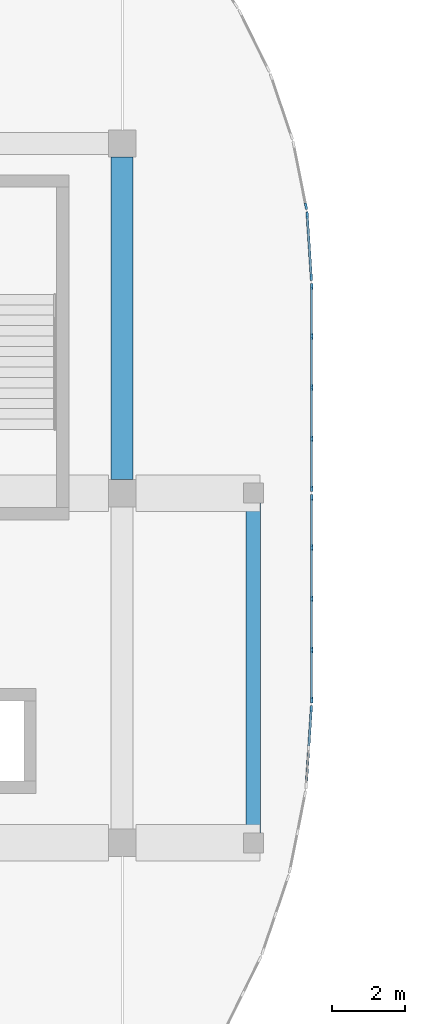
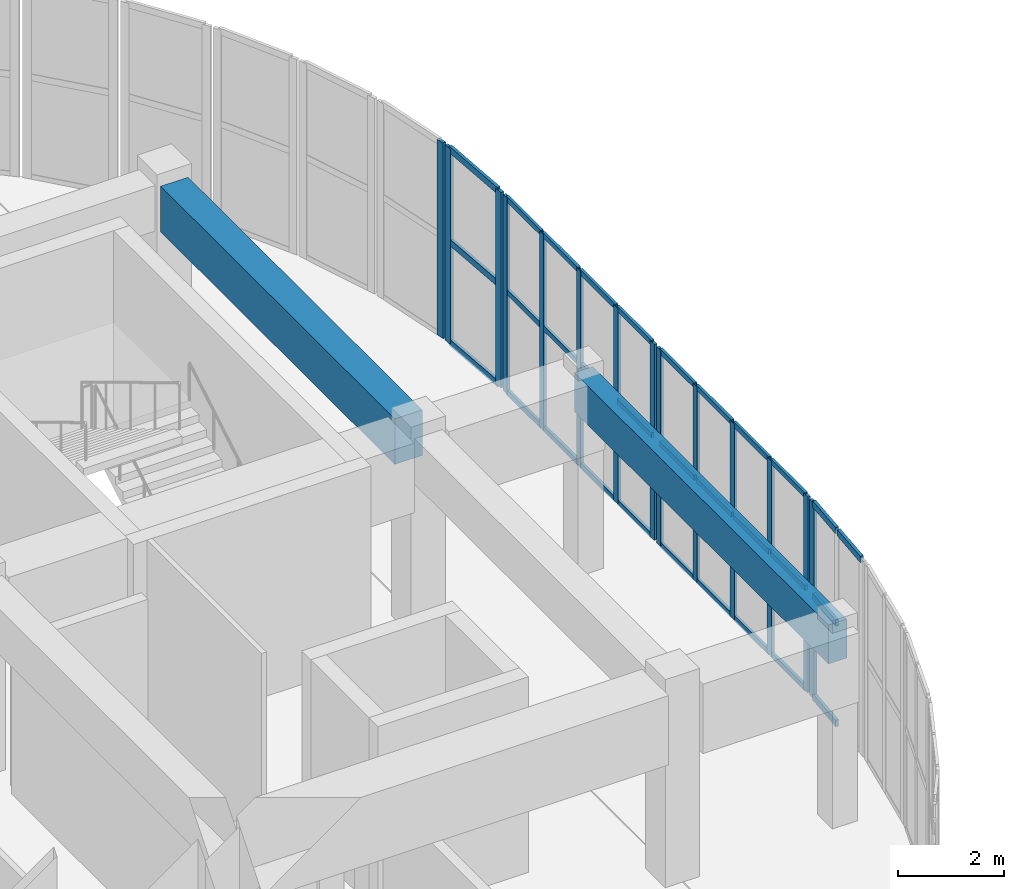
# One storey, part 9 of 28: 45 members, 2 beams, 5 elements without a shape of their own.
"""IFC4 building model written with IfcOpenShell, lengths in metres."""

from ifc_helpers import new_model, si_unit, direction, frame, origin, origin_2d, place, context, subcontext, project, spatial, rectangle, extrude, material, layer, layer_set, material_profile, profile_set, type_object, element, aggregate, save


model = new_model("IFC4")

# Units and contexts
model_context = context("Model", 3, precision=1e-05, world=origin(), true_north=direction((0.0, 1.0)))
body_context = subcontext(model_context, "Body", "Model", "MODEL_VIEW")
ifc_project = project(units=[si_unit("LENGTHUNIT", "METRE"), si_unit("AREAUNIT", "SQUARE_METRE"), si_unit("VOLUMEUNIT", "CUBIC_METRE"), si_unit("PLANEANGLEUNIT", "RADIAN"), si_unit("MASSUNIT", "GRAM", prefix="KILO")], contexts=[model_context])

# Site, building, storey
site_placement = place(None, origin())
site = spatial("IfcSite", under=ifc_project, at=site_placement, CompositionType="ELEMENT")
building_placement = place(site_placement, origin())
building = spatial("IfcBuilding", under=site, at=building_placement, Name="Cendralis Terraced Arcade", CompositionType="ELEMENT")
storey_placement = place(building_placement, frame((0.0, 0.0, 24.60009765625)))
storey = spatial("IfcBuildingStorey", under=building, at=storey_placement, Name="L05", CompositionType="ELEMENT", Elevation=24.60009765625)

# Beam
ifc_material_1 = material(Name="Concrete f'c 35 MPa", Category="concrete")
ifc_material_profile_1 = material_profile(ifc_material_1, rectangle(XDim=0.60009765625, YDim=1.050048828125, at=origin_2d()), Name="RC-BM-600x1050", Category="LoadBearing")
ifc_profile_set_1 = profile_set([ifc_material_profile_1], Name="Concrete f'c 35 MPa")
beam_type_1 = type_object("IfcBeamType", Name="BM-600x1050", PredefinedType="JOIST", material=ifc_profile_set_1)
beam_1_placement = place(storey_placement, frame((57.60009765625, 29.175048828125, 3.98486328125), z_axis=(0.0, 1.0, 0.0), x_axis=(-1.0, 0.0, 0.0)))
element("IfcBeam", 1, at=beam_1_placement, inside=storey, type_object=beam_type_1, Name="Reinforced Concrete Frame Beam BM-Y-L06-7-D_E", PredefinedType="JOIST", context=body_context, shape_type="SweptSolid", body=[
    extrude(rectangle(XDim=0.60009765625, YDim=1.050048828125, at=origin_2d()), origin(), (0.0, 0.0, 1.0), 8.849853515625),
])

# Curtain wall, member
ifc_material_2 = material(Name="Anodised aluminium EN AW-6063 T6", Category="aluminium")
ifc_layer_1 = layer(ifc_material_2, 0.179931640625, Name="CW-UNIT-A")
ifc_layer_set_1 = layer_set([ifc_layer_1], Name="Anodised aluminium EN AW-6063 T6")
curtain_wall_type_1 = type_object("IfcCurtainWallType", Name="CW-UNIT-A", PredefinedType="USERDEFINED", material=ifc_layer_set_1)
curtain_wall_1_placement = place(storey_placement, origin())
curtain_wall_1 = element("IfcCurtainWall", 2, at=curtain_wall_1_placement, inside=storey, type_object=curtain_wall_type_1, Name="Exterior Unitised Facade CW-L05-0399", ObjectType="UNITISED FACADE", PredefinedType="USERDEFINED")
ifc_material_profile_2 = material_profile(ifc_material_2, rectangle(XDim=0.06494140625, YDim=0.179931640625, at=origin_2d()), Name="ALU-MUL-65x180")
ifc_profile_set_2 = profile_set([ifc_material_profile_2], Name="Anodised aluminium EN AW-6063 T6")
member_type_1 = type_object("IfcMemberType", Name="CW-UNIT-A-MUL", PredefinedType="MULLION", material=ifc_profile_set_2)
member_1_placement = place(storey_placement, frame((62.647705078125, 36.677978515625, 0.0), z_axis=(0.0, 0.0, 1.0), x_axis=(0.980791618721, 0.195058454434, 0.0)))
member_1 = element("IfcMember", 3, at=member_1_placement, type_object=member_type_1, Name="CW-U1 mullion 2", PredefinedType="MULLION", context=body_context, shape_type="SweptSolid", body=[
    extrude(rectangle(XDim=0.06494140625, YDim=0.179931640625, at=origin_2d()), origin(), (0.0, 0.0, 1.0), 4.510009765625),
])
aggregate(curtain_wall_1, [member_1])

# Curtain wall, members
curtain_wall_2_placement = place(storey_placement, origin())
curtain_wall_2 = element("IfcCurtainWall", 4, at=curtain_wall_2_placement, inside=storey, type_object=curtain_wall_type_1, Name="Exterior Unitised Facade CW-L05-0400", ObjectType="UNITISED FACADE", PredefinedType="USERDEFINED")
member_2_placement = place(storey_placement, frame((62.6796875, 36.435791015625, 0.0), z_axis=(0.0, 0.0, 1.0), x_axis=(0.997860971336, 0.065371873798, 0.0)))
member_2 = element("IfcMember", 5, at=member_2_placement, type_object=member_type_1, Name="CW-U1 mullion 1", PredefinedType="MULLION", context=body_context, shape_type="SweptSolid", body=[
    extrude(rectangle(XDim=0.06494140625, YDim=0.179931640625, at=origin_2d()), origin(), (0.0, 0.0, 1.0), 4.510009765625),
])
member_3_placement = place(storey_placement, frame((62.7919921875, 34.72216796875, 0.0), z_axis=(0.0, 0.0, 1.0), x_axis=(0.997860971336, 0.065371873798, 0.0)))
member_3 = element("IfcMember", 6, at=member_3_placement, type_object=member_type_1, Name="CW-U1 mullion 2", PredefinedType="MULLION", context=body_context, shape_type="SweptSolid", body=[
    extrude(rectangle(XDim=0.06494140625, YDim=0.179931640625, at=origin_2d()), origin(), (0.0, 0.0, 1.0), 4.510009765625),
])

# Curtain wall, member
curtain_wall_3_placement = place(storey_placement, origin())
curtain_wall_3 = element("IfcCurtainWall", 7, at=curtain_wall_3_placement, inside=storey, type_object=curtain_wall_type_1, Name="Exterior Unitised Facade CW-L05-0403", ObjectType="UNITISED FACADE", PredefinedType="USERDEFINED")
member_4_placement = place(storey_placement, frame((62.7919921875, 22.877685546875, 0.0), z_axis=(0.0, 0.0, 1.0), x_axis=(0.99785960626, -0.065392707503, 0.0)))
member_4 = element("IfcMember", 8, at=member_4_placement, type_object=member_type_1, Name="CW-U1 mullion 1", PredefinedType="MULLION", context=body_context, shape_type="SweptSolid", body=[
    extrude(rectangle(XDim=0.06494140625, YDim=0.179931640625, at=origin_2d()), origin(), (0.0, 0.0, 1.0), 4.510009765625),
])

# Member
ifc_material_profile_3 = material_profile(ifc_material_2, rectangle(XDim=0.06494140625, YDim=0.14990234375, at=origin_2d()), Name="ALU-TRN-65x150")
ifc_profile_set_3 = profile_set([ifc_material_profile_3], Name="Anodised aluminium EN AW-6063 T6")
member_type_2 = type_object("IfcMemberType", Name="CW-UNIT-A-TRN", PredefinedType="USERDEFINED", material=ifc_profile_set_3)
member_5_placement = place(storey_placement, frame((62.681884765625, 36.4033203125, 0.032470703125), z_axis=(0.065312640858, -0.997864850039, 0.0), x_axis=(0.997864850039, 0.065312640858, 0.0)))
member_5 = element("IfcMember", 9, at=member_5_placement, type_object=member_type_2, Name="CW-U1 transom 1.1", ObjectType="TRANSOM", PredefinedType="USERDEFINED", context=body_context, shape_type="SweptSolid", body=[
    extrude(rectangle(XDim=0.06494140625, YDim=0.14990234375, at=origin_2d()), origin(), (0.0, 0.0, 1.0), 1.652099609375),
])

member_6_placement = place(storey_placement, frame((62.681884765625, 36.4033203125, 2.34521484375), z_axis=(0.065312640858, -0.997864850039, 0.0), x_axis=(0.997864850039, 0.065312640858, 0.0)))
member_6 = element("IfcMember", 10, at=member_6_placement, type_object=member_type_2, Name="CW-U1 transom 1.2", ObjectType="TRANSOM", PredefinedType="USERDEFINED", context=body_context, shape_type="SweptSolid", body=[
    extrude(rectangle(XDim=0.06494140625, YDim=0.14990234375, at=origin_2d()), origin(), (0.0, 0.0, 1.0), 1.652099609375),
])

member_7_placement = place(storey_placement, frame((62.681884765625, 36.4033203125, 4.477294921875), z_axis=(0.065312640858, -0.997864850039, 0.0), x_axis=(0.997864850039, 0.065312640858, 0.0)))
member_7 = element("IfcMember", 11, at=member_7_placement, type_object=member_type_2, Name="CW-U1 transom 1.3", ObjectType="TRANSOM", PredefinedType="USERDEFINED", context=body_context, shape_type="SweptSolid", body=[
    extrude(rectangle(XDim=0.06494140625, YDim=0.14990234375, at=origin_2d()), origin(), (0.0, 0.0, 1.0), 1.652099609375),
])

aggregate(curtain_wall_2, [member_2, member_3, member_5, member_6, member_7])

member_8_placement = place(storey_placement, frame((62.789794921875, 22.845458984375, 0.032470703125), z_axis=(-0.065356752321, -0.997861961859, 0.0), x_axis=(0.997861961859, -0.065356752321, 0.0)))
member_8 = element("IfcMember", 12, at=member_8_placement, type_object=member_type_2, Name="CW-U1 transom 1.1", ObjectType="TRANSOM", PredefinedType="USERDEFINED", context=body_context, shape_type="SweptSolid", body=[
    extrude(rectangle(XDim=0.06494140625, YDim=0.14990234375, at=origin_2d()), origin(), (0.0, 0.0, 1.0), 0.989990234375),
])

member_9_placement = place(storey_placement, frame((62.789794921875, 22.845458984375, 2.34521484375), z_axis=(-0.065356752321, -0.997861961859, 0.0), x_axis=(0.997861961859, -0.065356752321, 0.0)))
member_9 = element("IfcMember", 13, at=member_9_placement, type_object=member_type_2, Name="CW-U1 transom 1.2", ObjectType="TRANSOM", PredefinedType="USERDEFINED", context=body_context, shape_type="SweptSolid", body=[
    extrude(rectangle(XDim=0.06494140625, YDim=0.14990234375, at=origin_2d()), origin(), (0.0, 0.0, 1.0), 0.989990234375),
])

member_10_placement = place(storey_placement, frame((62.789794921875, 22.845458984375, 4.477294921875), z_axis=(-0.065356752321, -0.997861961859, 0.0), x_axis=(0.997861961859, -0.065356752321, 0.0)))
member_10 = element("IfcMember", 14, at=member_10_placement, type_object=member_type_2, Name="CW-U1 transom 1.3", ObjectType="TRANSOM", PredefinedType="USERDEFINED", context=body_context, shape_type="SweptSolid", body=[
    extrude(rectangle(XDim=0.06494140625, YDim=0.14990234375, at=origin_2d()), origin(), (0.0, 0.0, 1.0), 0.989990234375),
])

member_11_placement = place(storey_placement, frame((62.720947265625, 21.792724609375, 4.477294921875), z_axis=(-0.065372840697, -0.997860907992, 0.0), x_axis=(0.997860907992, -0.065372840697, 0.0)))
member_11 = element("IfcMember", 15, at=member_11_placement, type_object=member_type_2, Name="CW-U1 transom 2.3", ObjectType="TRANSOM", PredefinedType="USERDEFINED", context=body_context, shape_type="SweptSolid", body=[
    extrude(rectangle(XDim=0.06494140625, YDim=0.14990234375, at=origin_2d()), origin(), (0.0, 0.0, 1.0), 0.98974609375),
])

aggregate(curtain_wall_3, [member_4, member_8, member_9, member_10, member_11])

# Curtain wall, members
ifc_layer_2 = layer(ifc_material_2, 0.159912109375, Name="CW-UNIT-B")
ifc_layer_set_2 = layer_set([ifc_layer_2], Name="Anodised aluminium EN AW-6063 T6")
curtain_wall_type_2 = type_object("IfcCurtainWallType", Name="CW-UNIT-B", PredefinedType="USERDEFINED", material=ifc_layer_set_2)
curtain_wall_4_placement = place(storey_placement, origin())
curtain_wall_4 = element("IfcCurtainWall", 16, at=curtain_wall_4_placement, inside=storey, type_object=curtain_wall_type_2, Name="Exterior Unitised Facade CW-L05-0401", ObjectType="UNITISED FACADE", PredefinedType="USERDEFINED")
ifc_material_profile_4 = material_profile(ifc_material_2, rectangle(XDim=0.06494140625, YDim=0.159912109375, at=origin_2d()), Name="ALU-MUL-65x160")
ifc_profile_set_4 = profile_set([ifc_material_profile_4], Name="Anodised aluminium EN AW-6063 T6")
member_type_3 = type_object("IfcMemberType", Name="CW-UNIT-B-MUL", PredefinedType="MULLION", material=ifc_profile_set_4)
member_12_placement = place(storey_placement, frame((62.800048828125, 34.4775390625, 0.0), z_axis=(0.0, 0.0, 1.0), x_axis=(1.0, 0.0, 0.0)))
member_12 = element("IfcMember", 17, at=member_12_placement, type_object=member_type_3, Name="CW-U2 mullion 1", PredefinedType="MULLION", context=body_context, shape_type="SweptSolid", body=[
    extrude(rectangle(XDim=0.06494140625, YDim=0.159912109375, at=origin_2d()), origin(), (0.0, 0.0, 1.0), 4.510009765625),
])
member_13_placement = place(storey_placement, frame((62.800048828125, 33.10498046875, 0.0), z_axis=(0.0, 0.0, 1.0), x_axis=(1.0, 0.0, 0.0)))
member_13 = element("IfcMember", 18, at=member_13_placement, type_object=member_type_3, Name="CW-U2 mullion 2", PredefinedType="MULLION", context=body_context, shape_type="SweptSolid", body=[
    extrude(rectangle(XDim=0.06494140625, YDim=0.159912109375, at=origin_2d()), origin(), (0.0, 0.0, 1.0), 4.510009765625),
])
member_14_placement = place(storey_placement, frame((62.800048828125, 31.699951171875, 0.0), z_axis=(0.0, 0.0, 1.0), x_axis=(1.0, 0.0, 0.0)))
member_14 = element("IfcMember", 19, at=member_14_placement, type_object=member_type_3, Name="CW-U2 mullion 3", PredefinedType="MULLION", context=body_context, shape_type="SweptSolid", body=[
    extrude(rectangle(XDim=0.06494140625, YDim=0.159912109375, at=origin_2d()), origin(), (0.0, 0.0, 1.0), 4.510009765625),
])
member_15_placement = place(storey_placement, frame((62.800048828125, 30.294921875, 0.0), z_axis=(0.0, 0.0, 1.0), x_axis=(1.0, 0.0, 0.0)))
member_15 = element("IfcMember", 20, at=member_15_placement, type_object=member_type_3, Name="CW-U2 mullion 4", PredefinedType="MULLION", context=body_context, shape_type="SweptSolid", body=[
    extrude(rectangle(XDim=0.06494140625, YDim=0.159912109375, at=origin_2d()), origin(), (0.0, 0.0, 1.0), 4.510009765625),
])
member_16_placement = place(storey_placement, frame((62.800048828125, 28.922607421875, 0.0), z_axis=(0.0, 0.0, 1.0), x_axis=(1.0, 0.0, 0.0)))
member_16 = element("IfcMember", 21, at=member_16_placement, type_object=member_type_3, Name="CW-U2 mullion 5", PredefinedType="MULLION", context=body_context, shape_type="SweptSolid", body=[
    extrude(rectangle(XDim=0.06494140625, YDim=0.159912109375, at=origin_2d()), origin(), (0.0, 0.0, 1.0), 4.510009765625),
])

curtain_wall_5_placement = place(storey_placement, origin())
curtain_wall_5 = element("IfcCurtainWall", 22, at=curtain_wall_5_placement, inside=storey, type_object=curtain_wall_type_2, Name="Exterior Unitised Facade CW-L05-0402", ObjectType="UNITISED FACADE", PredefinedType="USERDEFINED")
member_17_placement = place(storey_placement, frame((62.800048828125, 28.677490234375, 0.0), z_axis=(0.0, 0.0, 1.0), x_axis=(1.0, 0.0, 0.0)))
member_17 = element("IfcMember", 23, at=member_17_placement, type_object=member_type_3, Name="CW-U2 mullion 1", PredefinedType="MULLION", context=body_context, shape_type="SweptSolid", body=[
    extrude(rectangle(XDim=0.06494140625, YDim=0.159912109375, at=origin_2d()), origin(), (0.0, 0.0, 1.0), 4.510009765625),
])
member_18_placement = place(storey_placement, frame((62.800048828125, 27.304931640625, 0.0), z_axis=(0.0, 0.0, 1.0), x_axis=(1.0, 0.0, 0.0)))
member_18 = element("IfcMember", 24, at=member_18_placement, type_object=member_type_3, Name="CW-U2 mullion 2", PredefinedType="MULLION", context=body_context, shape_type="SweptSolid", body=[
    extrude(rectangle(XDim=0.06494140625, YDim=0.159912109375, at=origin_2d()), origin(), (0.0, 0.0, 1.0), 4.510009765625),
])
member_19_placement = place(storey_placement, frame((62.800048828125, 25.89990234375, 0.0), z_axis=(0.0, 0.0, 1.0), x_axis=(1.0, 0.0, 0.0)))
member_19 = element("IfcMember", 25, at=member_19_placement, type_object=member_type_3, Name="CW-U2 mullion 3", PredefinedType="MULLION", context=body_context, shape_type="SweptSolid", body=[
    extrude(rectangle(XDim=0.06494140625, YDim=0.159912109375, at=origin_2d()), origin(), (0.0, 0.0, 1.0), 4.510009765625),
])
member_20_placement = place(storey_placement, frame((62.800048828125, 24.4951171875, 0.0), z_axis=(0.0, 0.0, 1.0), x_axis=(1.0, 0.0, 0.0)))
member_20 = element("IfcMember", 26, at=member_20_placement, type_object=member_type_3, Name="CW-U2 mullion 4", PredefinedType="MULLION", context=body_context, shape_type="SweptSolid", body=[
    extrude(rectangle(XDim=0.06494140625, YDim=0.159912109375, at=origin_2d()), origin(), (0.0, 0.0, 1.0), 4.510009765625),
])
member_21_placement = place(storey_placement, frame((62.800048828125, 23.12255859375, 0.0), z_axis=(0.0, 0.0, 1.0), x_axis=(1.0, 0.0, 0.0)))
member_21 = element("IfcMember", 27, at=member_21_placement, type_object=member_type_3, Name="CW-U2 mullion 5", PredefinedType="MULLION", context=body_context, shape_type="SweptSolid", body=[
    extrude(rectangle(XDim=0.06494140625, YDim=0.159912109375, at=origin_2d()), origin(), (0.0, 0.0, 1.0), 4.510009765625),
])

# Member
ifc_material_profile_5 = material_profile(ifc_material_2, rectangle(XDim=0.06005859375, YDim=0.1201171875, at=origin_2d()), Name="ALU-TRN-60x120")
ifc_profile_set_5 = profile_set([ifc_material_profile_5], Name="Anodised aluminium EN AW-6063 T6")
member_type_4 = type_object("IfcMemberType", Name="CW-UNIT-B-TRN", PredefinedType="USERDEFINED", material=ifc_profile_set_5)
member_22_placement = place(storey_placement, frame((62.800048828125, 34.445068359375, 0.02978515625), z_axis=(0.0, -1.0, 0.0), x_axis=(1.0, 0.0, 0.0)))
member_22 = element("IfcMember", 28, at=member_22_placement, type_object=member_type_4, Name="CW-U2 transom 1.1", ObjectType="TRANSOM", PredefinedType="USERDEFINED", context=body_context, shape_type="SweptSolid", body=[
    extrude(rectangle(XDim=0.06005859375, YDim=0.1201171875, at=origin_2d()), origin(), (0.0, 0.0, 1.0), 1.3076171875),
])

member_23_placement = place(storey_placement, frame((62.800048828125, 34.445068359375, 2.34521484375), z_axis=(0.0, -1.0, 0.0), x_axis=(1.0, 0.0, 0.0)))
member_23 = element("IfcMember", 29, at=member_23_placement, type_object=member_type_4, Name="CW-U2 transom 1.2", ObjectType="TRANSOM", PredefinedType="USERDEFINED", context=body_context, shape_type="SweptSolid", body=[
    extrude(rectangle(XDim=0.06005859375, YDim=0.1201171875, at=origin_2d()), origin(), (0.0, 0.0, 1.0), 1.3076171875),
])

member_24_placement = place(storey_placement, frame((62.800048828125, 34.445068359375, 4.47998046875), z_axis=(0.0, -1.0, 0.0), x_axis=(1.0, 0.0, 0.0)))
member_24 = element("IfcMember", 30, at=member_24_placement, type_object=member_type_4, Name="CW-U2 transom 1.3", ObjectType="TRANSOM", PredefinedType="USERDEFINED", context=body_context, shape_type="SweptSolid", body=[
    extrude(rectangle(XDim=0.06005859375, YDim=0.1201171875, at=origin_2d()), origin(), (0.0, 0.0, 1.0), 1.3076171875),
])

member_25_placement = place(storey_placement, frame((62.800048828125, 33.072509765625, 0.02978515625), z_axis=(0.0, -1.0, 0.0), x_axis=(1.0, 0.0, 0.0)))
member_25 = element("IfcMember", 31, at=member_25_placement, type_object=member_type_4, Name="CW-U2 transom 2.1", ObjectType="TRANSOM", PredefinedType="USERDEFINED", context=body_context, shape_type="SweptSolid", body=[
    extrude(rectangle(XDim=0.06005859375, YDim=0.1201171875, at=origin_2d()), origin(), (0.0, 0.0, 1.0), 1.340087890625),
])

member_26_placement = place(storey_placement, frame((62.800048828125, 33.072509765625, 2.34521484375), z_axis=(0.0, -1.0, 0.0), x_axis=(1.0, 0.0, 0.0)))
member_26 = element("IfcMember", 32, at=member_26_placement, type_object=member_type_4, Name="CW-U2 transom 2.2", ObjectType="TRANSOM", PredefinedType="USERDEFINED", context=body_context, shape_type="SweptSolid", body=[
    extrude(rectangle(XDim=0.06005859375, YDim=0.1201171875, at=origin_2d()), origin(), (0.0, 0.0, 1.0), 1.340087890625),
])

member_27_placement = place(storey_placement, frame((62.800048828125, 33.072509765625, 4.47998046875), z_axis=(0.0, -1.0, 0.0), x_axis=(1.0, 0.0, 0.0)))
member_27 = element("IfcMember", 33, at=member_27_placement, type_object=member_type_4, Name="CW-U2 transom 2.3", ObjectType="TRANSOM", PredefinedType="USERDEFINED", context=body_context, shape_type="SweptSolid", body=[
    extrude(rectangle(XDim=0.06005859375, YDim=0.1201171875, at=origin_2d()), origin(), (0.0, 0.0, 1.0), 1.340087890625),
])

member_28_placement = place(storey_placement, frame((62.800048828125, 31.66748046875, 0.02978515625), z_axis=(0.0, -1.0, 0.0), x_axis=(1.0, 0.0, 0.0)))
member_28 = element("IfcMember", 34, at=member_28_placement, type_object=member_type_4, Name="CW-U2 transom 3.1", ObjectType="TRANSOM", PredefinedType="USERDEFINED", context=body_context, shape_type="SweptSolid", body=[
    extrude(rectangle(XDim=0.06005859375, YDim=0.1201171875, at=origin_2d()), origin(), (0.0, 0.0, 1.0), 1.340087890625),
])

member_29_placement = place(storey_placement, frame((62.800048828125, 31.66748046875, 2.34521484375), z_axis=(0.0, -1.0, 0.0), x_axis=(1.0, 0.0, 0.0)))
member_29 = element("IfcMember", 35, at=member_29_placement, type_object=member_type_4, Name="CW-U2 transom 3.2", ObjectType="TRANSOM", PredefinedType="USERDEFINED", context=body_context, shape_type="SweptSolid", body=[
    extrude(rectangle(XDim=0.06005859375, YDim=0.1201171875, at=origin_2d()), origin(), (0.0, 0.0, 1.0), 1.340087890625),
])

member_30_placement = place(storey_placement, frame((62.800048828125, 31.66748046875, 4.47998046875), z_axis=(0.0, -1.0, 0.0), x_axis=(1.0, 0.0, 0.0)))
member_30 = element("IfcMember", 36, at=member_30_placement, type_object=member_type_4, Name="CW-U2 transom 3.3", ObjectType="TRANSOM", PredefinedType="USERDEFINED", context=body_context, shape_type="SweptSolid", body=[
    extrude(rectangle(XDim=0.06005859375, YDim=0.1201171875, at=origin_2d()), origin(), (0.0, 0.0, 1.0), 1.340087890625),
])

member_31_placement = place(storey_placement, frame((62.800048828125, 30.262451171875, 0.02978515625), z_axis=(0.0, -1.0, 0.0), x_axis=(1.0, 0.0, 0.0)))
member_31 = element("IfcMember", 37, at=member_31_placement, type_object=member_type_4, Name="CW-U2 transom 4.1", ObjectType="TRANSOM", PredefinedType="USERDEFINED", context=body_context, shape_type="SweptSolid", body=[
    extrude(rectangle(XDim=0.06005859375, YDim=0.1201171875, at=origin_2d()), origin(), (0.0, 0.0, 1.0), 1.307373046875),
])

member_32_placement = place(storey_placement, frame((62.800048828125, 30.262451171875, 2.34521484375), z_axis=(0.0, -1.0, 0.0), x_axis=(1.0, 0.0, 0.0)))
member_32 = element("IfcMember", 38, at=member_32_placement, type_object=member_type_4, Name="CW-U2 transom 4.2", ObjectType="TRANSOM", PredefinedType="USERDEFINED", context=body_context, shape_type="SweptSolid", body=[
    extrude(rectangle(XDim=0.06005859375, YDim=0.1201171875, at=origin_2d()), origin(), (0.0, 0.0, 1.0), 1.307373046875),
])

member_33_placement = place(storey_placement, frame((62.800048828125, 30.262451171875, 4.47998046875), z_axis=(0.0, -1.0, 0.0), x_axis=(1.0, 0.0, 0.0)))
member_33 = element("IfcMember", 39, at=member_33_placement, type_object=member_type_4, Name="CW-U2 transom 4.3", ObjectType="TRANSOM", PredefinedType="USERDEFINED", context=body_context, shape_type="SweptSolid", body=[
    extrude(rectangle(XDim=0.06005859375, YDim=0.1201171875, at=origin_2d()), origin(), (0.0, 0.0, 1.0), 1.307373046875),
])

aggregate(curtain_wall_4, [member_12, member_13, member_14, member_15, member_16, member_22, member_23, member_24, member_25, member_26, member_27, member_28, member_29, member_30, member_31, member_32, member_33])

member_34_placement = place(storey_placement, frame((62.800048828125, 28.64501953125, 0.02978515625), z_axis=(0.0, -1.0, 0.0), x_axis=(1.0, 0.0, 0.0)))
member_34 = element("IfcMember", 40, at=member_34_placement, type_object=member_type_4, Name="CW-U2 transom 1.1", ObjectType="TRANSOM", PredefinedType="USERDEFINED", context=body_context, shape_type="SweptSolid", body=[
    extrude(rectangle(XDim=0.06005859375, YDim=0.1201171875, at=origin_2d()), origin(), (0.0, 0.0, 1.0), 1.3076171875),
])

member_35_placement = place(storey_placement, frame((62.800048828125, 28.64501953125, 2.34521484375), z_axis=(0.0, -1.0, 0.0), x_axis=(1.0, 0.0, 0.0)))
member_35 = element("IfcMember", 41, at=member_35_placement, type_object=member_type_4, Name="CW-U2 transom 1.2", ObjectType="TRANSOM", PredefinedType="USERDEFINED", context=body_context, shape_type="SweptSolid", body=[
    extrude(rectangle(XDim=0.06005859375, YDim=0.1201171875, at=origin_2d()), origin(), (0.0, 0.0, 1.0), 1.3076171875),
])

member_36_placement = place(storey_placement, frame((62.800048828125, 28.64501953125, 4.47998046875), z_axis=(0.0, -1.0, 0.0), x_axis=(1.0, 0.0, 0.0)))
member_36 = element("IfcMember", 42, at=member_36_placement, type_object=member_type_4, Name="CW-U2 transom 1.3", ObjectType="TRANSOM", PredefinedType="USERDEFINED", context=body_context, shape_type="SweptSolid", body=[
    extrude(rectangle(XDim=0.06005859375, YDim=0.1201171875, at=origin_2d()), origin(), (0.0, 0.0, 1.0), 1.3076171875),
])

member_37_placement = place(storey_placement, frame((62.800048828125, 27.2724609375, 0.02978515625), z_axis=(0.0, -1.0, 0.0), x_axis=(1.0, 0.0, 0.0)))
member_37 = element("IfcMember", 43, at=member_37_placement, type_object=member_type_4, Name="CW-U2 transom 2.1", ObjectType="TRANSOM", PredefinedType="USERDEFINED", context=body_context, shape_type="SweptSolid", body=[
    extrude(rectangle(XDim=0.06005859375, YDim=0.1201171875, at=origin_2d()), origin(), (0.0, 0.0, 1.0), 1.33984375),
])

member_38_placement = place(storey_placement, frame((62.800048828125, 27.2724609375, 2.34521484375), z_axis=(0.0, -1.0, 0.0), x_axis=(1.0, 0.0, 0.0)))
member_38 = element("IfcMember", 44, at=member_38_placement, type_object=member_type_4, Name="CW-U2 transom 2.2", ObjectType="TRANSOM", PredefinedType="USERDEFINED", context=body_context, shape_type="SweptSolid", body=[
    extrude(rectangle(XDim=0.06005859375, YDim=0.1201171875, at=origin_2d()), origin(), (0.0, 0.0, 1.0), 1.33984375),
])

member_39_placement = place(storey_placement, frame((62.800048828125, 27.2724609375, 4.47998046875), z_axis=(0.0, -1.0, 0.0), x_axis=(1.0, 0.0, 0.0)))
member_39 = element("IfcMember", 45, at=member_39_placement, type_object=member_type_4, Name="CW-U2 transom 2.3", ObjectType="TRANSOM", PredefinedType="USERDEFINED", context=body_context, shape_type="SweptSolid", body=[
    extrude(rectangle(XDim=0.06005859375, YDim=0.1201171875, at=origin_2d()), origin(), (0.0, 0.0, 1.0), 1.33984375),
])

member_40_placement = place(storey_placement, frame((62.800048828125, 25.867431640625, 0.02978515625), z_axis=(0.0, -1.0, 0.0), x_axis=(1.0, 0.0, 0.0)))
member_40 = element("IfcMember", 46, at=member_40_placement, type_object=member_type_4, Name="CW-U2 transom 3.1", ObjectType="TRANSOM", PredefinedType="USERDEFINED", context=body_context, shape_type="SweptSolid", body=[
    extrude(rectangle(XDim=0.06005859375, YDim=0.1201171875, at=origin_2d()), origin(), (0.0, 0.0, 1.0), 1.33984375),
])

member_41_placement = place(storey_placement, frame((62.800048828125, 25.867431640625, 2.34521484375), z_axis=(0.0, -1.0, 0.0), x_axis=(1.0, 0.0, 0.0)))
member_41 = element("IfcMember", 47, at=member_41_placement, type_object=member_type_4, Name="CW-U2 transom 3.2", ObjectType="TRANSOM", PredefinedType="USERDEFINED", context=body_context, shape_type="SweptSolid", body=[
    extrude(rectangle(XDim=0.06005859375, YDim=0.1201171875, at=origin_2d()), origin(), (0.0, 0.0, 1.0), 1.33984375),
])

member_42_placement = place(storey_placement, frame((62.800048828125, 25.867431640625, 4.47998046875), z_axis=(0.0, -1.0, 0.0), x_axis=(1.0, 0.0, 0.0)))
member_42 = element("IfcMember", 48, at=member_42_placement, type_object=member_type_4, Name="CW-U2 transom 3.3", ObjectType="TRANSOM", PredefinedType="USERDEFINED", context=body_context, shape_type="SweptSolid", body=[
    extrude(rectangle(XDim=0.06005859375, YDim=0.1201171875, at=origin_2d()), origin(), (0.0, 0.0, 1.0), 1.33984375),
])

member_43_placement = place(storey_placement, frame((62.800048828125, 24.46240234375, 0.02978515625), z_axis=(0.0, -1.0, 0.0), x_axis=(1.0, 0.0, 0.0)))
member_43 = element("IfcMember", 49, at=member_43_placement, type_object=member_type_4, Name="CW-U2 transom 4.1", ObjectType="TRANSOM", PredefinedType="USERDEFINED", context=body_context, shape_type="SweptSolid", body=[
    extrude(rectangle(XDim=0.06005859375, YDim=0.1201171875, at=origin_2d()), origin(), (0.0, 0.0, 1.0), 1.307373046875),
])

member_44_placement = place(storey_placement, frame((62.800048828125, 24.46240234375, 2.34521484375), z_axis=(0.0, -1.0, 0.0), x_axis=(1.0, 0.0, 0.0)))
member_44 = element("IfcMember", 50, at=member_44_placement, type_object=member_type_4, Name="CW-U2 transom 4.2", ObjectType="TRANSOM", PredefinedType="USERDEFINED", context=body_context, shape_type="SweptSolid", body=[
    extrude(rectangle(XDim=0.06005859375, YDim=0.1201171875, at=origin_2d()), origin(), (0.0, 0.0, 1.0), 1.307373046875),
])

member_45_placement = place(storey_placement, frame((62.800048828125, 24.46240234375, 4.47998046875), z_axis=(0.0, -1.0, 0.0), x_axis=(1.0, 0.0, 0.0)))
member_45 = element("IfcMember", 51, at=member_45_placement, type_object=member_type_4, Name="CW-U2 transom 4.3", ObjectType="TRANSOM", PredefinedType="USERDEFINED", context=body_context, shape_type="SweptSolid", body=[
    extrude(rectangle(XDim=0.06005859375, YDim=0.1201171875, at=origin_2d()), origin(), (0.0, 0.0, 1.0), 1.307373046875),
])

aggregate(curtain_wall_5, [member_17, member_18, member_19, member_20, member_21, member_34, member_35, member_36, member_37, member_38, member_39, member_40, member_41, member_42, member_43, member_44, member_45])

# Beam
ifc_material_profile_6 = material_profile(ifc_material_1, rectangle(XDim=0.39990234375, YDim=0.89990234375, at=origin_2d()), Name="RC-SP-400x900", Category="LoadBearing")
ifc_profile_set_6 = profile_set([ifc_material_profile_6], Name="Concrete f'c 35 MPa")
beam_type_2 = type_object("IfcBeamType", Name="SP-400x900", PredefinedType="SPANDREL", material=ifc_profile_set_6)
beam_2_placement = place(storey_placement, frame((61.199951171875, 19.199951171875, 4.059814453125), z_axis=(0.0, 1.0, 0.0), x_axis=(-1.0, 0.0, 0.0)))
element("IfcBeam", 52, at=beam_2_placement, inside=storey, type_object=beam_type_2, Name="Crown Overhang Edge Spandrel L06", PredefinedType="SPANDREL", context=body_context, shape_type="SweptSolid", body=[
    extrude(rectangle(XDim=0.39990234375, YDim=0.89990234375, at=origin_2d()), origin(), (0.0, 0.0, 1.0), 9.60009765625),
])

save(model, "model.ifc")
